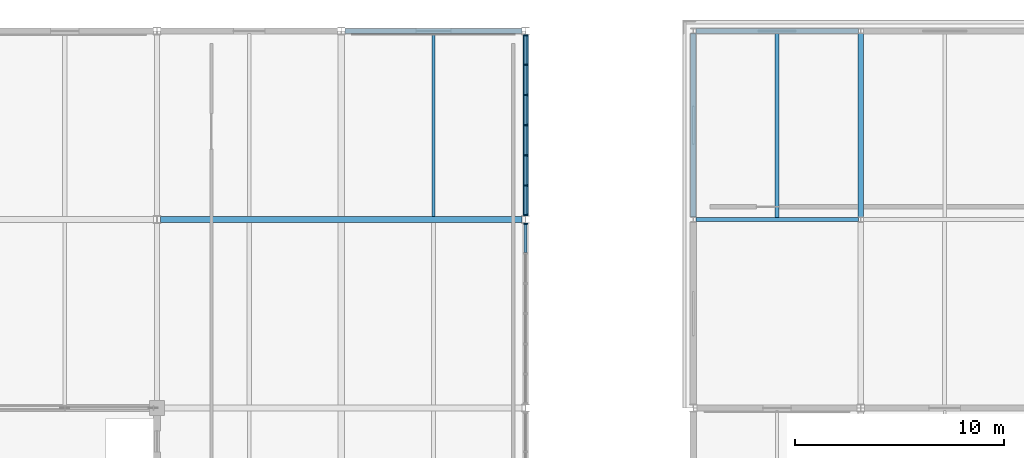
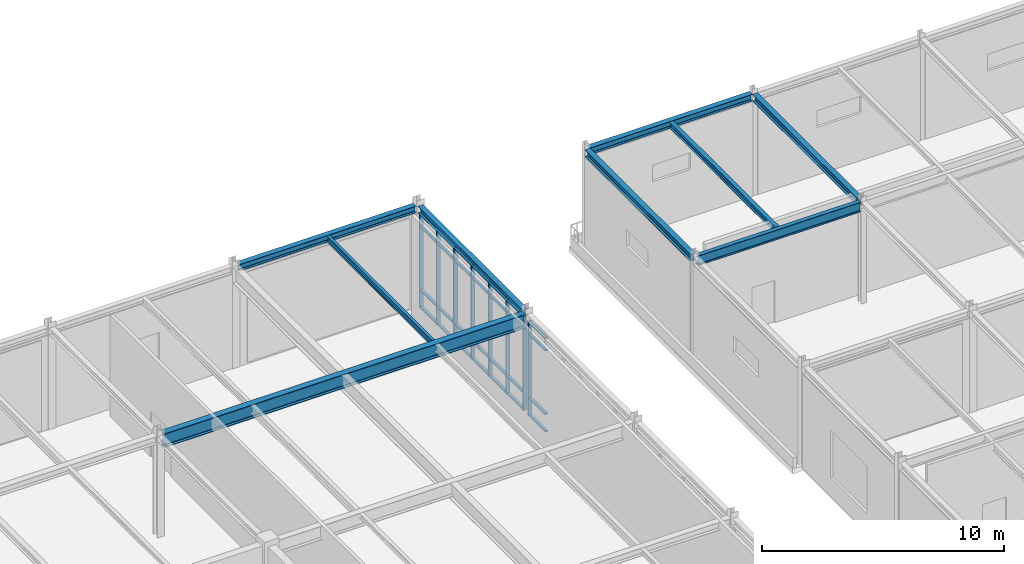
# One storey, part 45 of 108: 36 members, 9 beams, 2 elements without a shape of their own.
"""IFC4 building model written with IfcOpenShell, lengths in metres."""

from ifc_helpers import new_model, si_unit, direction, frame, origin, origin_2d, place, context, subcontext, project, spatial, rectangle, i_section, extrude, material, material_profile, profile_set, type_object, element, aggregate, save


model = new_model("IFC4")

# Units and contexts
model_context = context("Model", 3, precision=1e-05, world=origin(), true_north=direction((0.0, 1.0)))
body_context = subcontext(model_context, "Body", "Model", "MODEL_VIEW")
ifc_project = project(units=[si_unit("LENGTHUNIT", "METRE"), si_unit("AREAUNIT", "SQUARE_METRE"), si_unit("VOLUMEUNIT", "CUBIC_METRE"), si_unit("PLANEANGLEUNIT", "RADIAN"), si_unit("MASSUNIT", "GRAM", prefix="KILO")], contexts=[model_context])

# Site, building, storey
site_placement = place(None, origin())
site = spatial("IfcSite", under=ifc_project, at=site_placement, CompositionType="ELEMENT")
building_placement = place(site_placement, origin())
building = spatial("IfcBuilding", under=site, at=building_placement, Name="Zhaolan Boulevard Law Courts", CompositionType="ELEMENT")
storey_placement = place(building_placement, frame((0.0, 0.0, 10.800048828125)))
storey = spatial("IfcBuildingStorey", under=building, at=storey_placement, Name="L02", CompositionType="ELEMENT", Elevation=10.800048828125)

# Curtain wall, member
ifc_material_1 = material(Name="Thermally broken aluminium and low-E glazing", Category="aluminium")
curtain_wall_type_1 = type_object("IfcCurtainWallType", Name="CURTAIN WALL M1", PredefinedType="USERDEFINED", material=ifc_material_1)
curtain_wall_1_placement = place(storey_placement, origin())
curtain_wall_1 = element("IfcCurtainWall", 1, at=curtain_wall_1_placement, inside=storey, type_object=curtain_wall_type_1, Name="Curtain Wall CW-L02-121", ObjectType="CURTAIN WALL", PredefinedType="USERDEFINED")
ifc_material_2 = material(Name="Fluorocarbon-coated aluminium 6063-T6", Category="aluminium")
ifc_material_profile_1 = material_profile(ifc_material_2, rectangle(XDim=0.179931640625, YDim=0.06494140625, at=origin_2d()), Name="AL65x180")
ifc_profile_set_1 = profile_set([ifc_material_profile_1], Name="Fluorocarbon-coated aluminium 6063-T6")
member_type_1 = type_object("IfcMemberType", Name="CWMULLION 65X180", PredefinedType="MULLION", material=ifc_profile_set_1)
member_1_placement = place(storey_placement, frame((44.0, 102.79052734375, 0.0), z_axis=(0.0, 0.0, 1.0), x_axis=(-1.0, 0.0, 0.0)))
member_1 = element("IfcMember", 2, at=member_1_placement, type_object=member_type_1, Name="CW-L02-121 mullion 7", PredefinedType="MULLION", context=body_context, shape_type="SweptSolid", body=[
    extrude(rectangle(XDim=0.179931640625, YDim=0.06494140625, at=origin_2d()), origin(), (0.0, 0.0, 1.0), 4.762939453125),
])

# Curtain wall, members
ifc_material_3 = material(Name="Thermally broken aluminium and low-E glazing", Category="aluminium")
curtain_wall_type_2 = type_object("IfcCurtainWallType", Name="CURTAIN WALL M2", PredefinedType="USERDEFINED", material=ifc_material_3)
curtain_wall_2_placement = place(storey_placement, origin())
curtain_wall_2 = element("IfcCurtainWall", 3, at=curtain_wall_2_placement, inside=storey, type_object=curtain_wall_type_2, Name="Curtain Wall CW-L02-122", ObjectType="CURTAIN WALL", PredefinedType="USERDEFINED")
member_2_placement = place(storey_placement, frame((44.0, 103.20947265625, 0.0), z_axis=(0.0, 0.0, 1.0), x_axis=(-1.0, 0.0, 0.0)))
member_2 = element("IfcMember", 4, at=member_2_placement, type_object=member_type_1, Name="CW-L02-122 mullion 1", PredefinedType="MULLION", context=body_context, shape_type="SweptSolid", body=[
    extrude(rectangle(XDim=0.179931640625, YDim=0.06494140625, at=origin_2d()), origin(), (0.0, 0.0, 1.0), 4.762939453125),
])
member_3_placement = place(storey_placement, frame((44.0, 104.617919921875, 0.0), z_axis=(0.0, 0.0, 1.0), x_axis=(-1.0, 0.0, 0.0)))
member_3 = element("IfcMember", 5, at=member_3_placement, type_object=member_type_1, Name="CW-L02-122 mullion 2", PredefinedType="MULLION", context=body_context, shape_type="SweptSolid", body=[
    extrude(rectangle(XDim=0.179931640625, YDim=0.06494140625, at=origin_2d()), origin(), (0.0, 0.0, 1.0), 4.762939453125),
])
member_4_placement = place(storey_placement, frame((44.0, 106.05908203125, 0.0), z_axis=(0.0, 0.0, 1.0), x_axis=(-1.0, 0.0, 0.0)))
member_4 = element("IfcMember", 6, at=member_4_placement, type_object=member_type_1, Name="CW-L02-122 mullion 3", PredefinedType="MULLION", context=body_context, shape_type="SweptSolid", body=[
    extrude(rectangle(XDim=0.179931640625, YDim=0.06494140625, at=origin_2d()), origin(), (0.0, 0.0, 1.0), 4.762939453125),
])
member_5_placement = place(storey_placement, frame((44.0, 107.5, 0.0), z_axis=(0.0, 0.0, 1.0), x_axis=(-1.0, 0.0, 0.0)))
member_5 = element("IfcMember", 7, at=member_5_placement, type_object=member_type_1, Name="CW-L02-122 mullion 4", PredefinedType="MULLION", context=body_context, shape_type="SweptSolid", body=[
    extrude(rectangle(XDim=0.179931640625, YDim=0.06494140625, at=origin_2d()), origin(), (0.0, 0.0, 1.0), 4.762939453125),
])
member_6_placement = place(storey_placement, frame((44.0, 108.94091796875, 0.0), z_axis=(0.0, 0.0, 1.0), x_axis=(-1.0, 0.0, 0.0)))
member_6 = element("IfcMember", 8, at=member_6_placement, type_object=member_type_1, Name="CW-L02-122 mullion 5", PredefinedType="MULLION", context=body_context, shape_type="SweptSolid", body=[
    extrude(rectangle(XDim=0.179931640625, YDim=0.06494140625, at=origin_2d()), origin(), (0.0, 0.0, 1.0), 4.762939453125),
])
member_7_placement = place(storey_placement, frame((44.0, 110.382080078125, 0.0), z_axis=(0.0, 0.0, 1.0), x_axis=(-1.0, 0.0, 0.0)))
member_7 = element("IfcMember", 9, at=member_7_placement, type_object=member_type_1, Name="CW-L02-122 mullion 6", PredefinedType="MULLION", context=body_context, shape_type="SweptSolid", body=[
    extrude(rectangle(XDim=0.179931640625, YDim=0.06494140625, at=origin_2d()), origin(), (0.0, 0.0, 1.0), 4.762939453125),
])
member_8_placement = place(storey_placement, frame((44.0, 111.79052734375, 0.0), z_axis=(0.0, 0.0, 1.0), x_axis=(-1.0, 0.0, 0.0)))
member_8 = element("IfcMember", 10, at=member_8_placement, type_object=member_type_1, Name="CW-L02-122 mullion 7", PredefinedType="MULLION", context=body_context, shape_type="SweptSolid", body=[
    extrude(rectangle(XDim=0.179931640625, YDim=0.06494140625, at=origin_2d()), origin(), (0.0, 0.0, 1.0), 4.762939453125),
])

# Member
ifc_material_4 = material(Name="Fluorocarbon-coated aluminium 6063-T6", Category="aluminium")
ifc_material_profile_2 = material_profile(ifc_material_4, rectangle(XDim=0.139892578125, YDim=0.06494140625, at=origin_2d()), Name="AL65x140")
ifc_profile_set_2 = profile_set([ifc_material_profile_2], Name="Fluorocarbon-coated aluminium 6063-T6")
member_type_2 = type_object("IfcMemberType", Name="CWTRANSOM 65X140", PredefinedType="USERDEFINED", material=ifc_profile_set_2)
member_9_placement = place(storey_placement, frame((44.0, 101.41455078125, 0.032470703125), z_axis=(0.0, 1.0, 0.0), x_axis=(-1.0, 0.0, 0.0)))
member_9 = element("IfcMember", 11, at=member_9_placement, type_object=member_type_2, Name="CW-L02-121 transom 6.1", ObjectType="TRANSOM", PredefinedType="USERDEFINED", context=body_context, shape_type="SweptSolid", body=[
    extrude(rectangle(XDim=0.139892578125, YDim=0.06494140625, at=origin_2d()), origin(), (0.0, 0.0, 1.0), 1.343505859375),
])

member_10_placement = place(storey_placement, frame((44.0, 101.41455078125, 0.89990234375), z_axis=(0.0, 1.0, 0.0), x_axis=(-1.0, 0.0, 0.0)))
member_10 = element("IfcMember", 12, at=member_10_placement, type_object=member_type_2, Name="CW-L02-121 transom 6.2", ObjectType="TRANSOM", PredefinedType="USERDEFINED", context=body_context, shape_type="SweptSolid", body=[
    extrude(rectangle(XDim=0.139892578125, YDim=0.06494140625, at=origin_2d()), origin(), (0.0, 0.0, 1.0), 1.343505859375),
])

member_11_placement = place(storey_placement, frame((44.0, 101.41455078125, 4.113037109375), z_axis=(0.0, 1.0, 0.0), x_axis=(-1.0, 0.0, 0.0)))
member_11 = element("IfcMember", 13, at=member_11_placement, type_object=member_type_2, Name="CW-L02-121 transom 6.3", ObjectType="TRANSOM", PredefinedType="USERDEFINED", context=body_context, shape_type="SweptSolid", body=[
    extrude(rectangle(XDim=0.139892578125, YDim=0.06494140625, at=origin_2d()), origin(), (0.0, 0.0, 1.0), 1.343505859375),
])

member_12_placement = place(storey_placement, frame((44.0, 101.41455078125, 4.73046875), z_axis=(0.0, 1.0, 0.0), x_axis=(-1.0, 0.0, 0.0)))
member_12 = element("IfcMember", 14, at=member_12_placement, type_object=member_type_2, Name="CW-L02-121 transom 6.4", ObjectType="TRANSOM", PredefinedType="USERDEFINED", context=body_context, shape_type="SweptSolid", body=[
    extrude(rectangle(XDim=0.139892578125, YDim=0.06494140625, at=origin_2d()), origin(), (0.0, 0.0, 1.0), 1.343505859375),
])

aggregate(curtain_wall_1, [member_1, member_9, member_10, member_11, member_12])

member_13_placement = place(storey_placement, frame((44.0, 103.241943359375, 0.032470703125), z_axis=(0.0, 1.0, 0.0), x_axis=(-1.0, 0.0, 0.0)))
member_13 = element("IfcMember", 15, at=member_13_placement, type_object=member_type_2, Name="CW-L02-122 transom 1.1", ObjectType="TRANSOM", PredefinedType="USERDEFINED", context=body_context, shape_type="SweptSolid", body=[
    extrude(rectangle(XDim=0.139892578125, YDim=0.06494140625, at=origin_2d()), origin(), (0.0, 0.0, 1.0), 1.343505859375),
])

member_14_placement = place(storey_placement, frame((44.0, 103.241943359375, 0.89990234375), z_axis=(0.0, 1.0, 0.0), x_axis=(-1.0, 0.0, 0.0)))
member_14 = element("IfcMember", 16, at=member_14_placement, type_object=member_type_2, Name="CW-L02-122 transom 1.2", ObjectType="TRANSOM", PredefinedType="USERDEFINED", context=body_context, shape_type="SweptSolid", body=[
    extrude(rectangle(XDim=0.139892578125, YDim=0.06494140625, at=origin_2d()), origin(), (0.0, 0.0, 1.0), 1.343505859375),
])

member_15_placement = place(storey_placement, frame((44.0, 103.241943359375, 4.113037109375), z_axis=(0.0, 1.0, 0.0), x_axis=(-1.0, 0.0, 0.0)))
member_15 = element("IfcMember", 17, at=member_15_placement, type_object=member_type_2, Name="CW-L02-122 transom 1.3", ObjectType="TRANSOM", PredefinedType="USERDEFINED", context=body_context, shape_type="SweptSolid", body=[
    extrude(rectangle(XDim=0.139892578125, YDim=0.06494140625, at=origin_2d()), origin(), (0.0, 0.0, 1.0), 1.343505859375),
])

member_16_placement = place(storey_placement, frame((44.0, 103.241943359375, 4.73046875), z_axis=(0.0, 1.0, 0.0), x_axis=(-1.0, 0.0, 0.0)))
member_16 = element("IfcMember", 18, at=member_16_placement, type_object=member_type_2, Name="CW-L02-122 transom 1.4", ObjectType="TRANSOM", PredefinedType="USERDEFINED", context=body_context, shape_type="SweptSolid", body=[
    extrude(rectangle(XDim=0.139892578125, YDim=0.06494140625, at=origin_2d()), origin(), (0.0, 0.0, 1.0), 1.343505859375),
])

member_17_placement = place(storey_placement, frame((44.0, 104.650390625, 0.032470703125), z_axis=(0.0, 1.0, 0.0), x_axis=(-1.0, 0.0, 0.0)))
member_17 = element("IfcMember", 19, at=member_17_placement, type_object=member_type_2, Name="CW-L02-122 transom 2.1", ObjectType="TRANSOM", PredefinedType="USERDEFINED", context=body_context, shape_type="SweptSolid", body=[
    extrude(rectangle(XDim=0.139892578125, YDim=0.06494140625, at=origin_2d()), origin(), (0.0, 0.0, 1.0), 1.376220703125),
])

member_18_placement = place(storey_placement, frame((44.0, 104.650390625, 0.89990234375), z_axis=(0.0, 1.0, 0.0), x_axis=(-1.0, 0.0, 0.0)))
member_18 = element("IfcMember", 20, at=member_18_placement, type_object=member_type_2, Name="CW-L02-122 transom 2.2", ObjectType="TRANSOM", PredefinedType="USERDEFINED", context=body_context, shape_type="SweptSolid", body=[
    extrude(rectangle(XDim=0.139892578125, YDim=0.06494140625, at=origin_2d()), origin(), (0.0, 0.0, 1.0), 1.376220703125),
])

member_19_placement = place(storey_placement, frame((44.0, 104.650390625, 4.113037109375), z_axis=(0.0, 1.0, 0.0), x_axis=(-1.0, 0.0, 0.0)))
member_19 = element("IfcMember", 21, at=member_19_placement, type_object=member_type_2, Name="CW-L02-122 transom 2.3", ObjectType="TRANSOM", PredefinedType="USERDEFINED", context=body_context, shape_type="SweptSolid", body=[
    extrude(rectangle(XDim=0.139892578125, YDim=0.06494140625, at=origin_2d()), origin(), (0.0, 0.0, 1.0), 1.376220703125),
])

member_20_placement = place(storey_placement, frame((44.0, 104.650390625, 4.73046875), z_axis=(0.0, 1.0, 0.0), x_axis=(-1.0, 0.0, 0.0)))
member_20 = element("IfcMember", 22, at=member_20_placement, type_object=member_type_2, Name="CW-L02-122 transom 2.4", ObjectType="TRANSOM", PredefinedType="USERDEFINED", context=body_context, shape_type="SweptSolid", body=[
    extrude(rectangle(XDim=0.139892578125, YDim=0.06494140625, at=origin_2d()), origin(), (0.0, 0.0, 1.0), 1.376220703125),
])

member_21_placement = place(storey_placement, frame((44.0, 106.091552734375, 0.032470703125), z_axis=(0.0, 1.0, 0.0), x_axis=(-1.0, 0.0, 0.0)))
member_21 = element("IfcMember", 23, at=member_21_placement, type_object=member_type_2, Name="CW-L02-122 transom 3.1", ObjectType="TRANSOM", PredefinedType="USERDEFINED", context=body_context, shape_type="SweptSolid", body=[
    extrude(rectangle(XDim=0.139892578125, YDim=0.06494140625, at=origin_2d()), origin(), (0.0, 0.0, 1.0), 1.3759765625),
])

member_22_placement = place(storey_placement, frame((44.0, 106.091552734375, 0.89990234375), z_axis=(0.0, 1.0, 0.0), x_axis=(-1.0, 0.0, 0.0)))
member_22 = element("IfcMember", 24, at=member_22_placement, type_object=member_type_2, Name="CW-L02-122 transom 3.2", ObjectType="TRANSOM", PredefinedType="USERDEFINED", context=body_context, shape_type="SweptSolid", body=[
    extrude(rectangle(XDim=0.139892578125, YDim=0.06494140625, at=origin_2d()), origin(), (0.0, 0.0, 1.0), 1.3759765625),
])

member_23_placement = place(storey_placement, frame((44.0, 106.091552734375, 4.113037109375), z_axis=(0.0, 1.0, 0.0), x_axis=(-1.0, 0.0, 0.0)))
member_23 = element("IfcMember", 25, at=member_23_placement, type_object=member_type_2, Name="CW-L02-122 transom 3.3", ObjectType="TRANSOM", PredefinedType="USERDEFINED", context=body_context, shape_type="SweptSolid", body=[
    extrude(rectangle(XDim=0.139892578125, YDim=0.06494140625, at=origin_2d()), origin(), (0.0, 0.0, 1.0), 1.3759765625),
])

member_24_placement = place(storey_placement, frame((44.0, 106.091552734375, 4.73046875), z_axis=(0.0, 1.0, 0.0), x_axis=(-1.0, 0.0, 0.0)))
member_24 = element("IfcMember", 26, at=member_24_placement, type_object=member_type_2, Name="CW-L02-122 transom 3.4", ObjectType="TRANSOM", PredefinedType="USERDEFINED", context=body_context, shape_type="SweptSolid", body=[
    extrude(rectangle(XDim=0.139892578125, YDim=0.06494140625, at=origin_2d()), origin(), (0.0, 0.0, 1.0), 1.3759765625),
])

member_25_placement = place(storey_placement, frame((44.0, 107.532470703125, 0.032470703125), z_axis=(0.0, 1.0, 0.0), x_axis=(-1.0, 0.0, 0.0)))
member_25 = element("IfcMember", 27, at=member_25_placement, type_object=member_type_2, Name="CW-L02-122 transom 4.1", ObjectType="TRANSOM", PredefinedType="USERDEFINED", context=body_context, shape_type="SweptSolid", body=[
    extrude(rectangle(XDim=0.139892578125, YDim=0.06494140625, at=origin_2d()), origin(), (0.0, 0.0, 1.0), 1.3759765625),
])

member_26_placement = place(storey_placement, frame((44.0, 107.532470703125, 0.89990234375), z_axis=(0.0, 1.0, 0.0), x_axis=(-1.0, 0.0, 0.0)))
member_26 = element("IfcMember", 28, at=member_26_placement, type_object=member_type_2, Name="CW-L02-122 transom 4.2", ObjectType="TRANSOM", PredefinedType="USERDEFINED", context=body_context, shape_type="SweptSolid", body=[
    extrude(rectangle(XDim=0.139892578125, YDim=0.06494140625, at=origin_2d()), origin(), (0.0, 0.0, 1.0), 1.3759765625),
])

member_27_placement = place(storey_placement, frame((44.0, 107.532470703125, 4.113037109375), z_axis=(0.0, 1.0, 0.0), x_axis=(-1.0, 0.0, 0.0)))
member_27 = element("IfcMember", 29, at=member_27_placement, type_object=member_type_2, Name="CW-L02-122 transom 4.3", ObjectType="TRANSOM", PredefinedType="USERDEFINED", context=body_context, shape_type="SweptSolid", body=[
    extrude(rectangle(XDim=0.139892578125, YDim=0.06494140625, at=origin_2d()), origin(), (0.0, 0.0, 1.0), 1.3759765625),
])

member_28_placement = place(storey_placement, frame((44.0, 107.532470703125, 4.73046875), z_axis=(0.0, 1.0, 0.0), x_axis=(-1.0, 0.0, 0.0)))
member_28 = element("IfcMember", 30, at=member_28_placement, type_object=member_type_2, Name="CW-L02-122 transom 4.4", ObjectType="TRANSOM", PredefinedType="USERDEFINED", context=body_context, shape_type="SweptSolid", body=[
    extrude(rectangle(XDim=0.139892578125, YDim=0.06494140625, at=origin_2d()), origin(), (0.0, 0.0, 1.0), 1.3759765625),
])

member_29_placement = place(storey_placement, frame((44.0, 108.973388671875, 0.032470703125), z_axis=(0.0, 1.0, 0.0), x_axis=(-1.0, 0.0, 0.0)))
member_29 = element("IfcMember", 31, at=member_29_placement, type_object=member_type_2, Name="CW-L02-122 transom 5.1", ObjectType="TRANSOM", PredefinedType="USERDEFINED", context=body_context, shape_type="SweptSolid", body=[
    extrude(rectangle(XDim=0.139892578125, YDim=0.06494140625, at=origin_2d()), origin(), (0.0, 0.0, 1.0), 1.376220703125),
])

member_30_placement = place(storey_placement, frame((44.0, 108.973388671875, 0.89990234375), z_axis=(0.0, 1.0, 0.0), x_axis=(-1.0, 0.0, 0.0)))
member_30 = element("IfcMember", 32, at=member_30_placement, type_object=member_type_2, Name="CW-L02-122 transom 5.2", ObjectType="TRANSOM", PredefinedType="USERDEFINED", context=body_context, shape_type="SweptSolid", body=[
    extrude(rectangle(XDim=0.139892578125, YDim=0.06494140625, at=origin_2d()), origin(), (0.0, 0.0, 1.0), 1.376220703125),
])

member_31_placement = place(storey_placement, frame((44.0, 108.973388671875, 4.113037109375), z_axis=(0.0, 1.0, 0.0), x_axis=(-1.0, 0.0, 0.0)))
member_31 = element("IfcMember", 33, at=member_31_placement, type_object=member_type_2, Name="CW-L02-122 transom 5.3", ObjectType="TRANSOM", PredefinedType="USERDEFINED", context=body_context, shape_type="SweptSolid", body=[
    extrude(rectangle(XDim=0.139892578125, YDim=0.06494140625, at=origin_2d()), origin(), (0.0, 0.0, 1.0), 1.376220703125),
])

member_32_placement = place(storey_placement, frame((44.0, 108.973388671875, 4.73046875), z_axis=(0.0, 1.0, 0.0), x_axis=(-1.0, 0.0, 0.0)))
member_32 = element("IfcMember", 34, at=member_32_placement, type_object=member_type_2, Name="CW-L02-122 transom 5.4", ObjectType="TRANSOM", PredefinedType="USERDEFINED", context=body_context, shape_type="SweptSolid", body=[
    extrude(rectangle(XDim=0.139892578125, YDim=0.06494140625, at=origin_2d()), origin(), (0.0, 0.0, 1.0), 1.376220703125),
])

member_33_placement = place(storey_placement, frame((44.0, 110.41455078125, 0.032470703125), z_axis=(0.0, 1.0, 0.0), x_axis=(-1.0, 0.0, 0.0)))
member_33 = element("IfcMember", 35, at=member_33_placement, type_object=member_type_2, Name="CW-L02-122 transom 6.1", ObjectType="TRANSOM", PredefinedType="USERDEFINED", context=body_context, shape_type="SweptSolid", body=[
    extrude(rectangle(XDim=0.139892578125, YDim=0.06494140625, at=origin_2d()), origin(), (0.0, 0.0, 1.0), 1.343505859375),
])

member_34_placement = place(storey_placement, frame((44.0, 110.41455078125, 0.89990234375), z_axis=(0.0, 1.0, 0.0), x_axis=(-1.0, 0.0, 0.0)))
member_34 = element("IfcMember", 36, at=member_34_placement, type_object=member_type_2, Name="CW-L02-122 transom 6.2", ObjectType="TRANSOM", PredefinedType="USERDEFINED", context=body_context, shape_type="SweptSolid", body=[
    extrude(rectangle(XDim=0.139892578125, YDim=0.06494140625, at=origin_2d()), origin(), (0.0, 0.0, 1.0), 1.343505859375),
])

member_35_placement = place(storey_placement, frame((44.0, 110.41455078125, 4.113037109375), z_axis=(0.0, 1.0, 0.0), x_axis=(-1.0, 0.0, 0.0)))
member_35 = element("IfcMember", 37, at=member_35_placement, type_object=member_type_2, Name="CW-L02-122 transom 6.3", ObjectType="TRANSOM", PredefinedType="USERDEFINED", context=body_context, shape_type="SweptSolid", body=[
    extrude(rectangle(XDim=0.139892578125, YDim=0.06494140625, at=origin_2d()), origin(), (0.0, 0.0, 1.0), 1.343505859375),
])

member_36_placement = place(storey_placement, frame((44.0, 110.41455078125, 4.73046875), z_axis=(0.0, 1.0, 0.0), x_axis=(-1.0, 0.0, 0.0)))
member_36 = element("IfcMember", 38, at=member_36_placement, type_object=member_type_2, Name="CW-L02-122 transom 6.4", ObjectType="TRANSOM", PredefinedType="USERDEFINED", context=body_context, shape_type="SweptSolid", body=[
    extrude(rectangle(XDim=0.139892578125, YDim=0.06494140625, at=origin_2d()), origin(), (0.0, 0.0, 1.0), 1.343505859375),
])

aggregate(curtain_wall_2, [member_2, member_3, member_4, member_5, member_6, member_7, member_8, member_13, member_14, member_15, member_16, member_17, member_18, member_19, member_20, member_21, member_22, member_23, member_24, member_25, member_26, member_27, member_28, member_29, member_30, member_31, member_32, member_33, member_34, member_35, member_36])

# Beams
ifc_material_5 = material(Name="Structural steel Q355B", Category="steel")
ifc_material_profile_3 = material_profile(ifc_material_5, i_section(OverallWidth=0.25, OverallDepth=0.340087890625, WebThickness=0.009033203125, FlangeThickness=0.013916015625, FilletRadius=0.01611328125, at=origin_2d()), Name="HM340x250")
ifc_profile_set_3 = profile_set([ifc_material_profile_3], Name="Structural steel Q355B")
beam_type_1 = type_object("IfcBeamType", Name="GIRDER HM340", PredefinedType="BEAM", material=ifc_profile_set_3)
beam_1_placement = place(storey_placement, frame((44.0, 103.1708984375, 4.947998046875), z_axis=(0.0, 1.0, 0.0), x_axis=(-1.0, 0.0, 0.0)))
element("IfcBeam", 39, at=beam_1_placement, inside=storey, type_object=beam_type_1, Name="Beam BY-L03-6-P-Q", PredefinedType="BEAM", context=body_context, shape_type="SweptSolid", body=[
    extrude(i_section(OverallWidth=0.25, OverallDepth=0.340087890625, WebThickness=0.009033203125, FlangeThickness=0.013916015625, FilletRadius=0.01611328125, at=origin_2d()), origin(), (0.0, 0.0, 1.0), 8.658203125),
])
for number, where, z_axis, x_axis, name in (
    (40, (52.0, 103.12109375, 4.968017578125), (0.0, 1.0, 0.0), (-1.0, 0.0, 0.0), "Beam BY-L03-7-P-Q"),
    (41, (60.0, 103.12109375, 4.968017578125), (0.0, 1.0, 0.0), (-1.0, 0.0, 0.0), "Beam BY-L03-8-P-Q"),
):
    element("IfcBeam", number, at=place(storey_placement, frame(where, z_axis=z_axis, x_axis=x_axis)), inside=storey, type_object=beam_type_1, Name=name, PredefinedType="BEAM", context=body_context, shape_type="SweptSolid", body=[
        extrude(i_section(OverallWidth=0.25, OverallDepth=0.340087890625, WebThickness=0.009033203125, FlangeThickness=0.013916015625, FilletRadius=0.01611328125, at=origin_2d()), origin(), (0.0, 0.0, 1.0), 8.7578125),
    ])
ifc_material_6 = material(Name="Structural steel Q355B", Category="steel")
ifc_material_profile_4 = material_profile(ifc_material_6, i_section(OverallWidth=0.199951171875, OverallDepth=0.5, WebThickness=0.010009765625, FlangeThickness=0.01611328125, FilletRadius=0.01806640625, at=origin_2d()), Name="HN500x200")
ifc_profile_set_4 = profile_set([ifc_material_profile_4], Name="Structural steel Q355B")
beam_type_2 = type_object("IfcBeamType", Name="GIRDER HN500", PredefinedType="BEAM", material=ifc_profile_set_4)
beam_2_placement = place(storey_placement, frame((52.12109375, 103.0, 4.887939453125), z_axis=(1.0, 0.0, 0.0), x_axis=(0.0, 1.0, 0.0)))
element("IfcBeam", 42, at=beam_2_placement, inside=storey, type_object=beam_type_2, Name="Beam BX-L03-7-8-P", PredefinedType="BEAM", context=body_context, shape_type="SweptSolid", body=[
    extrude(i_section(OverallWidth=0.199951171875, OverallDepth=0.5, WebThickness=0.010009765625, FlangeThickness=0.01611328125, FilletRadius=0.01806640625, at=origin_2d()), origin(), (0.0, 0.0, 1.0), 7.7578125),
])
ifc_material_7 = material(Name="Structural steel Q390B", Category="steel")
ifc_material_profile_5 = material_profile(ifc_material_7, i_section(OverallWidth=0.300048828125, OverallDepth=0.699951171875, WebThickness=0.012939453125, FlangeThickness=0.02392578125, FilletRadius=0.02392578125, at=origin_2d()), Name="HN700x300")
ifc_profile_set_5 = profile_set([ifc_material_profile_5], Name="Structural steel Q390B")
beam_type_3 = type_object("IfcBeamType", Name="GIRDER HN700", PredefinedType="BEAM", material=ifc_profile_set_5)
beam_3_placement = place(storey_placement, frame((26.571044921875, 103.0, 4.76806640625), z_axis=(1.0, 0.0, 0.0), x_axis=(0.0, 1.0, 0.0)))
element("IfcBeam", 43, at=beam_3_placement, inside=storey, type_object=beam_type_3, Name="Beam BX-L03-4-6-P", PredefinedType="BEAM", context=body_context, shape_type="SweptSolid", body=[
    extrude(i_section(OverallWidth=0.300048828125, OverallDepth=0.699951171875, WebThickness=0.012939453125, FlangeThickness=0.02392578125, FilletRadius=0.02392578125, at=origin_2d()), origin(), (0.0, 0.0, 1.0), 17.258056640625),
])
ifc_material_8 = material(Name="Structural steel Q355B", Category="steel")
ifc_material_profile_6 = material_profile(ifc_material_8, i_section(OverallWidth=0.199951171875, OverallDepth=0.2939453125, WebThickness=0.008056640625, FlangeThickness=0.011962890625, FilletRadius=0.01611328125, at=origin_2d()), Name="HM294x200")
ifc_profile_set_6 = profile_set([ifc_material_profile_6], Name="Structural steel Q355B")
beam_type_4 = type_object("IfcBeamType", Name="JOIST HM294", PredefinedType="JOIST", material=ifc_profile_set_6)
beam_4_placement = place(storey_placement, frame((56.0, 103.095947265625, 4.990966796875), z_axis=(0.0, 1.0, 0.0), x_axis=(-1.0, 0.0, 0.0)))
element("IfcBeam", 44, at=beam_4_placement, inside=storey, type_object=beam_type_4, Name="Composite Joist J-L03-7P", PredefinedType="JOIST", context=body_context, shape_type="SweptSolid", body=[
    extrude(i_section(OverallWidth=0.199951171875, OverallDepth=0.2939453125, WebThickness=0.008056640625, FlangeThickness=0.011962890625, FilletRadius=0.01611328125, at=origin_2d()), origin(), (0.0, 0.0, 1.0), 8.782958984375),
])
ifc_material_9 = material(Name="Structural steel Q355B", Category="steel")
ifc_material_profile_7 = material_profile(ifc_material_9, i_section(OverallWidth=0.14990234375, OverallDepth=0.300048828125, WebThickness=0.006591796875, FlangeThickness=0.009033203125, FilletRadius=0.010986328125, at=origin_2d()), Name="HN300x150")
ifc_profile_set_7 = profile_set([ifc_material_profile_7], Name="Structural steel Q355B")
beam_type_5 = type_object("IfcBeamType", Name="JOIST HN300", PredefinedType="JOIST", material=ifc_profile_set_7)
beam_5_placement = place(storey_placement, frame((39.60009765625, 103.14599609375, 4.968017578125), z_axis=(0.0, 1.0, 0.0), x_axis=(-1.0, 0.0, 0.0)))
element("IfcBeam", 45, at=beam_5_placement, inside=storey, type_object=beam_type_5, Name="Composite Joist J-L03-5P", PredefinedType="JOIST", context=body_context, shape_type="SweptSolid", body=[
    extrude(i_section(OverallWidth=0.14990234375, OverallDepth=0.300048828125, WebThickness=0.006591796875, FlangeThickness=0.009033203125, FilletRadius=0.010986328125, at=origin_2d()), origin(), (0.0, 0.0, 1.0), 8.73291015625),
])
ifc_material_10 = material(Name="Structural steel Q355B", Category="steel")
ifc_material_profile_8 = material_profile(ifc_material_10, i_section(OverallWidth=0.25, OverallDepth=0.340087890625, WebThickness=0.009033203125, FlangeThickness=0.013916015625, FilletRadius=0.01611328125, at=origin_2d()), Name="HM340x250")
ifc_profile_set_8 = profile_set([ifc_material_profile_8], Name="Structural steel Q355B")
beam_type_6 = type_object("IfcBeamType", Name="SPANDREL HM340", PredefinedType="SPANDREL", material=ifc_profile_set_8)
beam_6_placement = place(storey_placement, frame((35.37109375, 112.0, 4.947998046875), z_axis=(1.0, 0.0, 0.0), x_axis=(0.0, 1.0, 0.0)))
element("IfcBeam", 46, at=beam_6_placement, inside=storey, type_object=beam_type_6, Name="Beam BX-L03-5-6-Q", PredefinedType="SPANDREL", context=body_context, shape_type="SweptSolid", body=[
    extrude(i_section(OverallWidth=0.25, OverallDepth=0.340087890625, WebThickness=0.009033203125, FlangeThickness=0.013916015625, FilletRadius=0.01611328125, at=origin_2d()), origin(), (0.0, 0.0, 1.0), 8.4580078125),
])
beam_7_placement = place(storey_placement, frame((52.12109375, 112.0, 4.968017578125), z_axis=(1.0, 0.0, 0.0), x_axis=(0.0, 1.0, 0.0)))
element("IfcBeam", 47, at=beam_7_placement, inside=storey, type_object=beam_type_6, Name="Beam BX-L03-7-8-Q", PredefinedType="SPANDREL", context=body_context, shape_type="SweptSolid", body=[
    extrude(i_section(OverallWidth=0.25, OverallDepth=0.340087890625, WebThickness=0.009033203125, FlangeThickness=0.013916015625, FilletRadius=0.01611328125, at=origin_2d()), origin(), (0.0, 0.0, 1.0), 7.7578125),
])

save(model, "model.ifc")
